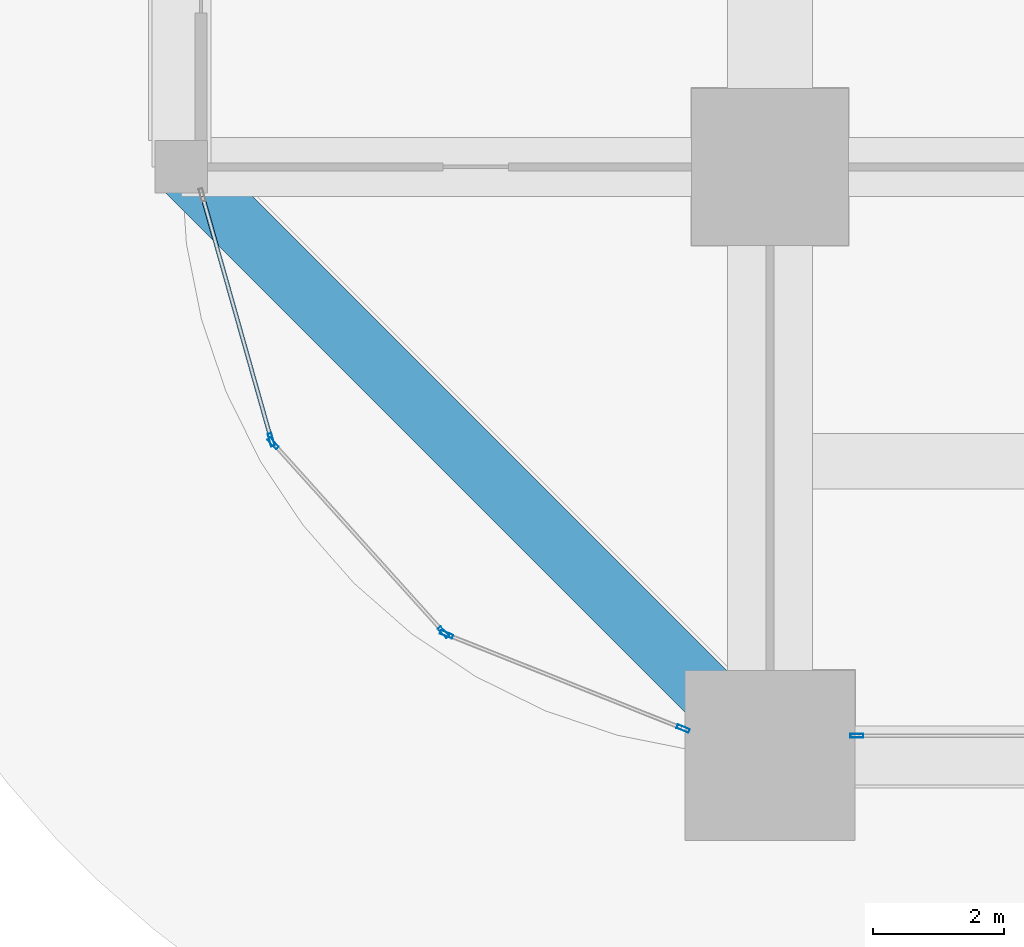
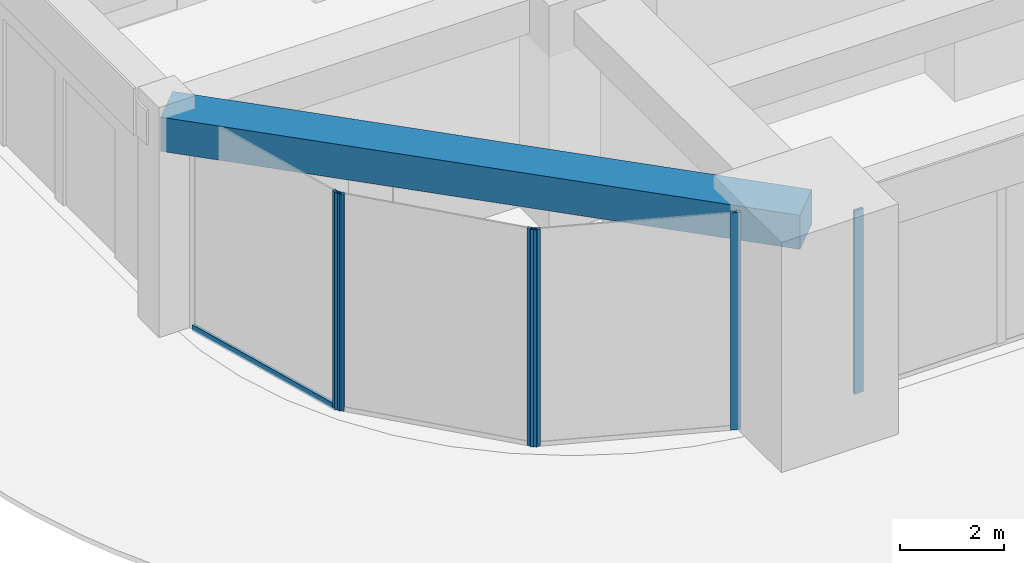
# One storey, part 2 of 56: 7 members, 1 beam, 4 elements without a shape of their own.
"""IFC4 building model written with IfcOpenShell, lengths in metres."""

from ifc_helpers import new_model, si_unit, direction, frame, origin, origin_2d, place, context, subcontext, project, spatial, rectangle, hollow_rectangle, extrude, material, material_profile, profile_set, type_object, element, aggregate, save


model = new_model("IFC4")

# Units and contexts
model_context = context("Model", 3, precision=1e-05, world=origin(), true_north=direction((0.0, 1.0)))
body_context = subcontext(model_context, "Body", "Model", "MODEL_VIEW")
ifc_project = project(units=[si_unit("LENGTHUNIT", "METRE"), si_unit("AREAUNIT", "SQUARE_METRE"), si_unit("VOLUMEUNIT", "CUBIC_METRE"), si_unit("PLANEANGLEUNIT", "RADIAN"), si_unit("MASSUNIT", "GRAM", prefix="KILO")], contexts=[model_context])

# Site, building, storey
site_placement = place(None, origin())
site = spatial("IfcSite", under=ifc_project, at=site_placement, CompositionType="ELEMENT")
building_placement = place(site_placement, origin())
building = spatial("IfcBuilding", under=site, at=building_placement, Name="Zorevar Civic Tower", CompositionType="ELEMENT")
storey_placement = place(building_placement, origin())
storey = spatial("IfcBuildingStorey", under=building, at=storey_placement, Name="L00", CompositionType="ELEMENT", Elevation=0.0)

# Curtain wall, member
ifc_material_1 = material(Name="Dark grey solar-control glass in black aluminium frame", Category="aluminium")
curtain_wall_type = type_object("IfcCurtainWallType", Name="Curtain wall CW1 podium", PredefinedType="NOTDEFINED", material=ifc_material_1)
curtain_wall_1_placement = place(storey_placement, origin())
curtain_wall_1 = element("IfcCurtainWall", 1, at=curtain_wall_1_placement, inside=storey, type_object=curtain_wall_type, Name="CW1 L00", PredefinedType="NOTDEFINED")
ifc_material_2 = material(Name="Aluminium, black anodised", Category="aluminium")
ifc_material_profile_1 = material_profile(ifc_material_2, hollow_rectangle(XDim=0.06005859375, YDim=0.199951171875, WallThickness=0.00390625, at=origin_2d()), Name="AL 200x60x4")
ifc_profile_set_1 = profile_set([ifc_material_profile_1], Name="Aluminium, black anodised")
member_type_1 = type_object("IfcMemberType", Name="CW1 mullion AL 200x60x4", PredefinedType="MULLION", material=ifc_profile_set_1)
member_1_placement = place(storey_placement, frame((1.330078125, 0.300048828125, 0.0), z_axis=(0.0, 0.0, 1.0), x_axis=(0.0, 1.0, 0.0)))
member_1 = element("IfcMember", 2, at=member_1_placement, type_object=member_type_1, Name="CW1 mullion 1", PredefinedType="MULLION", context=body_context, shape_type="SweptSolid", body=[
    extrude(hollow_rectangle(XDim=0.06005859375, YDim=0.199951171875, WallThickness=0.00390625, at=origin_2d()), origin(), (0.0, 0.0, 1.0), 4.300048828125),
])
aggregate(curtain_wall_1, [member_1])

curtain_wall_2_placement = place(storey_placement, origin())
curtain_wall_2 = element("IfcCurtainWall", 3, at=curtain_wall_2_placement, inside=storey, type_object=curtain_wall_type, Name="CW1 L00", PredefinedType="NOTDEFINED")
member_2_placement = place(storey_placement, frame((-7.625244140625, 4.825439453125, 0.0), z_axis=(0.0, 0.0, 1.0), x_axis=(0.962390725943, 0.271669082929, 0.0)))
member_2 = element("IfcMember", 4, at=member_2_placement, type_object=member_type_1, Name="CW1 mullion 2", PredefinedType="MULLION", context=body_context, shape_type="SweptSolid", body=[
    extrude(hollow_rectangle(XDim=0.06005859375, YDim=0.199951171875, WallThickness=0.00390625, at=origin_2d()), origin(), (0.0, 0.0, 1.0), 5.10009765625),
])

# Curtain wall, members
curtain_wall_3_placement = place(storey_placement, origin())
curtain_wall_3 = element("IfcCurtainWall", 5, at=curtain_wall_3_placement, inside=storey, type_object=curtain_wall_type, Name="CW1 L00", PredefinedType="NOTDEFINED")
member_3_placement = place(storey_placement, frame((-7.596923828125, 4.774169921875, 0.0), z_axis=(0.0, 0.0, 1.0), x_axis=(0.742899688263, 0.669402758568, 0.0)))
member_3 = element("IfcMember", 6, at=member_3_placement, type_object=member_type_1, Name="CW1 mullion 1", PredefinedType="MULLION", context=body_context, shape_type="SweptSolid", body=[
    extrude(hollow_rectangle(XDim=0.06005859375, YDim=0.199951171875, WallThickness=0.00390625, at=origin_2d()), origin(), (0.0, 0.0, 1.0), 5.10009765625),
])
member_4_placement = place(storey_placement, frame((-4.991455078125, 1.8828125, 0.0), z_axis=(0.0, 0.0, 1.0), x_axis=(0.742899688263, 0.669402758568, 0.0)))
member_4 = element("IfcMember", 7, at=member_4_placement, type_object=member_type_1, Name="CW1 mullion 2", PredefinedType="MULLION", context=body_context, shape_type="SweptSolid", body=[
    extrude(hollow_rectangle(XDim=0.06005859375, YDim=0.199951171875, WallThickness=0.00390625, at=origin_2d()), origin(), (0.0, 0.0, 1.0), 5.10009765625),
])
aggregate(curtain_wall_3, [member_3, member_4])

curtain_wall_4_placement = place(storey_placement, origin())
curtain_wall_4 = element("IfcCurtainWall", 8, at=curtain_wall_4_placement, inside=storey, type_object=curtain_wall_type, Name="CW1 L00", PredefinedType="NOTDEFINED")
member_5_placement = place(storey_placement, frame((-4.943603515625, 1.849365234375, 0.0), z_axis=(0.0, 0.0, 1.0), x_axis=(0.370110964218, 0.928987553289, 0.0)))
member_5 = element("IfcMember", 9, at=member_5_placement, type_object=member_type_1, Name="CW1 mullion 1", PredefinedType="MULLION", context=body_context, shape_type="SweptSolid", body=[
    extrude(hollow_rectangle(XDim=0.06005859375, YDim=0.199951171875, WallThickness=0.00390625, at=origin_2d()), origin(), (0.0, 0.0, 1.0), 5.10009765625),
])
member_6_placement = place(storey_placement, frame((-1.327880859375, 0.408935546875, 0.0), z_axis=(0.0, 0.0, 1.0), x_axis=(0.370110964218, 0.928987553289, 0.0)))
member_6 = element("IfcMember", 10, at=member_6_placement, type_object=member_type_1, Name="CW1 mullion 2", PredefinedType="MULLION", context=body_context, shape_type="SweptSolid", body=[
    extrude(hollow_rectangle(XDim=0.06005859375, YDim=0.199951171875, WallThickness=0.00390625, at=origin_2d()), origin(), (0.0, 0.0, 1.0), 5.10009765625),
])
aggregate(curtain_wall_4, [member_5, member_6])

# Member
ifc_material_3 = material(Name="Aluminium, black anodised", Category="aluminium")
ifc_material_profile_2 = material_profile(ifc_material_3, hollow_rectangle(XDim=0.06005859375, YDim=0.14990234375, WallThickness=0.00390625, at=origin_2d()), Name="AL 150x60x4")
ifc_profile_set_2 = profile_set([ifc_material_profile_2], Name="Aluminium, black anodised")
member_type_2 = type_object("IfcMemberType", Name="CW1 transom AL 150x60x4", PredefinedType="USERDEFINED", material=ifc_profile_set_2)
member_7_placement = place(storey_placement, frame((-8.67431640625, 8.542236328125, 0.030029296875), z_axis=(0.271656874729, -0.962394172059, 0.0), x_axis=(0.962394172059, 0.271656874729, 0.0)))
member_7 = element("IfcMember", 11, at=member_7_placement, type_object=member_type_2, Name="CW1 sill transom", ObjectType="TRANSOM", PredefinedType="USERDEFINED", context=body_context, shape_type="SweptSolid", body=[
    extrude(hollow_rectangle(XDim=0.06005859375, YDim=0.14990234375, WallThickness=0.00390625, at=origin_2d()), origin(), (0.0, 0.0, 1.0), 3.83203125),
])

aggregate(curtain_wall_2, [member_2, member_7])

# Beam
ifc_material_4 = material(Name="Concrete C50/60", Category="concrete")
ifc_material_profile_3 = material_profile(ifc_material_4, rectangle(XDim=0.89990234375, YDim=0.800048828125, at=origin_2d()), Name="RC 900x800")
ifc_profile_set_3 = profile_set([ifc_material_profile_3], Name="Concrete C50/60")
beam_type = type_object("IfcBeamType", Name="Edge beam RC 900x800", PredefinedType="SPANDREL", material=ifc_profile_set_3)
beam_placement = place(storey_placement, frame((-9.0, 9.0, 4.699951171875), z_axis=(0.707106781187, -0.707106781187, 0.0), x_axis=(0.707106781187, 0.707106781187, 0.0)))
element("IfcBeam", 12, at=beam_placement, inside=storey, type_object=beam_type, Name="Corner edge beam L01", PredefinedType="SPANDREL", context=body_context, shape_type="SweptSolid", body=[
    extrude(rectangle(XDim=0.89990234375, YDim=0.800048828125, at=origin_2d()), origin(), (0.0, 0.0, 1.0), 12.72802734375),
])

save(model, "model.ifc")
